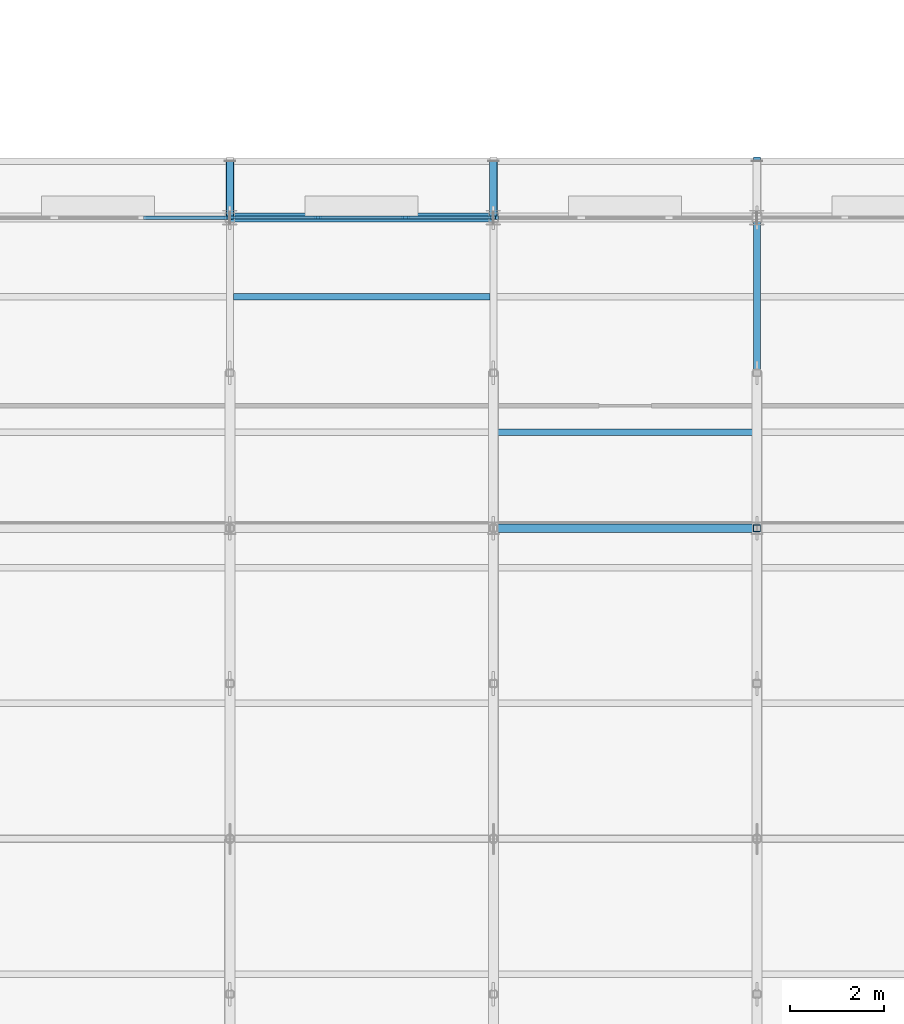
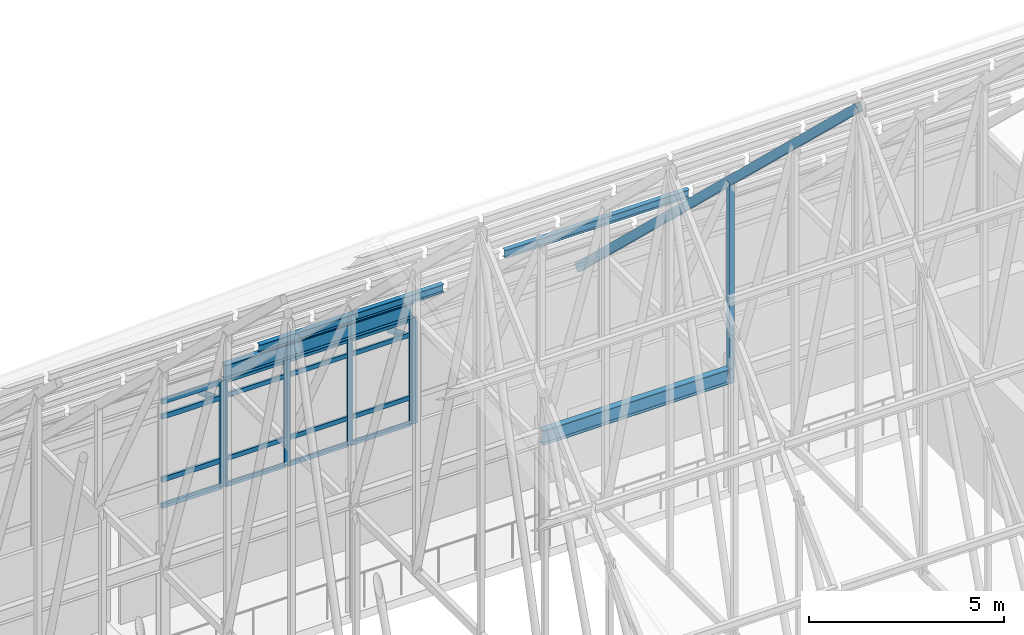
# One storey, part 51 of 144: 28 members, 2 beams, 3 elements without a shape of their own.
"""IFC4 building model written with IfcOpenShell, lengths in metres."""

from ifc_helpers import new_model, si_unit, direction, frame, origin, origin_2d, place, context, subcontext, project, spatial, rectangle, hollow_rectangle, hollow_circle, i_section, extrude, material, layer, layer_set, material_profile, profile_set, type_object, element, aggregate, save


model = new_model("IFC4")

# Units and contexts
model_context = context("Model", 3, precision=1e-05, world=origin(), true_north=direction((0.0, 1.0)))
body_context = subcontext(model_context, "Body", "Model", "MODEL_VIEW")
ifc_project = project(units=[si_unit("LENGTHUNIT", "METRE"), si_unit("AREAUNIT", "SQUARE_METRE"), si_unit("VOLUMEUNIT", "CUBIC_METRE"), si_unit("PLANEANGLEUNIT", "RADIAN"), si_unit("MASSUNIT", "GRAM", prefix="KILO")], contexts=[model_context])

# Site, building, storey
site_placement = place(None, origin())
site = spatial("IfcSite", under=ifc_project, at=site_placement, CompositionType="ELEMENT")
building_placement = place(site_placement, origin())
building = spatial("IfcBuilding", under=site, at=building_placement, Name="Trelmorton Wharf Fire Station", CompositionType="ELEMENT")
storey_placement = place(building_placement, frame((0.0, 0.0, 5.39990234375)))
storey = spatial("IfcBuildingStorey", under=building, at=storey_placement, Name="L01", CompositionType="ELEMENT", Elevation=5.39990234375)

# Curtain wall, members
ifc_material_1 = material(Name="Anodised aluminium AW-6063", Category="aluminium")
ifc_layer = layer(ifc_material_1, 0.175048828125)
ifc_layer_set = layer_set([ifc_layer], Name="Anodised aluminium AW-6063")
curtain_wall_type = type_object("IfcCurtainWallType", Name="CW_CHIC_B", PredefinedType="USERDEFINED", material=ifc_layer_set)
curtain_wall_1_placement = place(storey_placement, origin())
curtain_wall_1 = element("IfcCurtainWall", 1, at=curtain_wall_1_placement, inside=storey, type_object=curtain_wall_type, Name="CW-V1-L01-015", ObjectType="CHICAGO BAY CURTAIN WALL", PredefinedType="USERDEFINED")
ifc_material_profile_1 = material_profile(ifc_material_1, rectangle(XDim=0.06494140625, YDim=0.159912109375, at=origin_2d()), Name="ALU-65x160")
ifc_profile_set_1 = profile_set([ifc_material_profile_1], Name="Anodised aluminium AW-6063")
member_type_1 = type_object("IfcMemberType", Name="CWM_65x160", PredefinedType="MULLION", material=ifc_profile_set_1)
member_1_placement = place(storey_placement, frame((34.43505859375, 34.199951171875, 0.0), z_axis=(0.0, 0.0, 1.0), x_axis=(0.0, 1.0, 0.0)))
member_1 = element("IfcMember", 2, at=member_1_placement, type_object=member_type_1, Name="CW2 mullion 1", PredefinedType="MULLION", context=body_context, shape_type="SweptSolid", body=[
    extrude(rectangle(XDim=0.06494140625, YDim=0.159912109375, at=origin_2d()), origin(), (0.0, 0.0, 1.0), 3.320068359375),
])
member_2_placement = place(storey_placement, frame((36.268310546875, 34.199951171875, 0.0), z_axis=(0.0, 0.0, 1.0), x_axis=(0.0, 1.0, 0.0)))
member_2 = element("IfcMember", 3, at=member_2_placement, type_object=member_type_1, Name="CW2 mullion 2", PredefinedType="MULLION", context=body_context, shape_type="SweptSolid", body=[
    extrude(rectangle(XDim=0.06494140625, YDim=0.159912109375, at=origin_2d()), origin(), (0.0, 0.0, 1.0), 3.320068359375),
])
member_3_placement = place(storey_placement, frame((38.131591796875, 34.199951171875, 0.0), z_axis=(0.0, 0.0, 1.0), x_axis=(0.0, 1.0, 0.0)))
member_3 = element("IfcMember", 4, at=member_3_placement, type_object=member_type_1, Name="CW2 mullion 3", PredefinedType="MULLION", context=body_context, shape_type="SweptSolid", body=[
    extrude(rectangle(XDim=0.06494140625, YDim=0.159912109375, at=origin_2d()), origin(), (0.0, 0.0, 1.0), 3.320068359375),
])
member_4_placement = place(storey_placement, frame((39.965087890625, 34.199951171875, 0.0), z_axis=(0.0, 0.0, 1.0), x_axis=(0.0, 1.0, 0.0)))
member_4 = element("IfcMember", 5, at=member_4_placement, type_object=member_type_1, Name="CW2 mullion 4", PredefinedType="MULLION", context=body_context, shape_type="SweptSolid", body=[
    extrude(rectangle(XDim=0.06494140625, YDim=0.159912109375, at=origin_2d()), origin(), (0.0, 0.0, 1.0), 3.320068359375),
])

# Curtain wall, member
curtain_wall_2_placement = place(storey_placement, origin())
curtain_wall_2 = element("IfcCurtainWall", 6, at=curtain_wall_2_placement, inside=storey, type_object=curtain_wall_type, Name="CW-V1-L01-014", ObjectType="CHICAGO BAY CURTAIN WALL", PredefinedType="USERDEFINED")
ifc_material_profile_2 = material_profile(ifc_material_1, rectangle(XDim=0.074951171875, YDim=0.175048828125, at=origin_2d()), Name="ALU-75x175")
ifc_profile_set_2 = profile_set([ifc_material_profile_2], Name="Anodised aluminium AW-6063")
member_type_2 = type_object("IfcMemberType", Name="CWM_75x175", PredefinedType="MULLION", material=ifc_profile_set_2)
member_5_placement = place(storey_placement, frame((34.364990234375, 34.199951171875, 0.0), z_axis=(0.0, 0.0, 1.0), x_axis=(0.0, 1.0, 0.0)))
member_5 = element("IfcMember", 7, at=member_5_placement, type_object=member_type_2, Name="CW2 mullion 4", PredefinedType="MULLION", context=body_context, shape_type="SweptSolid", body=[
    extrude(rectangle(XDim=0.074951171875, YDim=0.175048828125, at=origin_2d()), origin(), (0.0, 0.0, 1.0), 3.320068359375),
])

curtain_wall_3_placement = place(storey_placement, origin())
curtain_wall_3 = element("IfcCurtainWall", 8, at=curtain_wall_3_placement, inside=storey, type_object=curtain_wall_type, Name="CW-V1-L01-016", ObjectType="CHICAGO BAY CURTAIN WALL", PredefinedType="USERDEFINED")
member_6_placement = place(storey_placement, frame((40.034912109375, 34.199951171875, 0.0), z_axis=(0.0, 0.0, 1.0), x_axis=(0.0, 1.0, 0.0)))
member_6 = element("IfcMember", 9, at=member_6_placement, type_object=member_type_2, Name="CW2 mullion 1", PredefinedType="MULLION", context=body_context, shape_type="SweptSolid", body=[
    extrude(rectangle(XDim=0.074951171875, YDim=0.175048828125, at=origin_2d()), origin(), (0.0, 0.0, 1.0), 3.320068359375),
])
aggregate(curtain_wall_3, [member_6])

# Member
ifc_material_profile_3 = material_profile(ifc_material_1, rectangle(XDim=0.06494140625, YDim=0.139892578125, at=origin_2d()), Name="ALU-65x140")
ifc_profile_set_3 = profile_set([ifc_material_profile_3], Name="Anodised aluminium AW-6063")
member_type_3 = type_object("IfcMemberType", Name="CWT_65x140", PredefinedType="USERDEFINED", material=ifc_profile_set_3)
member_7_placement = place(storey_placement, frame((34.465087890625, 34.199951171875, 0.030029296875), z_axis=(1.0, 0.0, 0.0), x_axis=(0.0, 1.0, 0.0)))
member_7 = element("IfcMember", 10, at=member_7_placement, type_object=member_type_3, Name="CW2 transom 1.1", ObjectType="TRANSOM", PredefinedType="USERDEFINED", context=body_context, shape_type="SweptSolid", body=[
    extrude(rectangle(XDim=0.06494140625, YDim=0.139892578125, at=origin_2d()), origin(), (0.0, 0.0, 1.0), 1.773193359375),
])

member_8_placement = place(storey_placement, frame((34.465087890625, 34.199951171875, 0.85009765625), z_axis=(1.0, 0.0, 0.0), x_axis=(0.0, 1.0, 0.0)))
member_8 = element("IfcMember", 11, at=member_8_placement, type_object=member_type_3, Name="CW2 transom 1.2", ObjectType="TRANSOM", PredefinedType="USERDEFINED", context=body_context, shape_type="SweptSolid", body=[
    extrude(rectangle(XDim=0.06494140625, YDim=0.139892578125, at=origin_2d()), origin(), (0.0, 0.0, 1.0), 1.773193359375),
])

member_9_placement = place(storey_placement, frame((34.465087890625, 34.199951171875, 2.820068359375), z_axis=(1.0, 0.0, 0.0), x_axis=(0.0, 1.0, 0.0)))
member_9 = element("IfcMember", 12, at=member_9_placement, type_object=member_type_3, Name="CW2 transom 1.3", ObjectType="TRANSOM", PredefinedType="USERDEFINED", context=body_context, shape_type="SweptSolid", body=[
    extrude(rectangle(XDim=0.06494140625, YDim=0.139892578125, at=origin_2d()), origin(), (0.0, 0.0, 1.0), 1.773193359375),
])

member_10_placement = place(storey_placement, frame((34.465087890625, 34.199951171875, 3.2900390625), z_axis=(1.0, 0.0, 0.0), x_axis=(0.0, 1.0, 0.0)))
member_10 = element("IfcMember", 13, at=member_10_placement, type_object=member_type_3, Name="CW2 transom 1.4", ObjectType="TRANSOM", PredefinedType="USERDEFINED", context=body_context, shape_type="SweptSolid", body=[
    extrude(rectangle(XDim=0.06494140625, YDim=0.139892578125, at=origin_2d()), origin(), (0.0, 0.0, 1.0), 1.773193359375),
])

member_11_placement = place(storey_placement, frame((36.29833984375, 34.199951171875, 0.030029296875), z_axis=(1.0, 0.0, 0.0), x_axis=(0.0, 1.0, 0.0)))
member_11 = element("IfcMember", 14, at=member_11_placement, type_object=member_type_3, Name="CW2 transom 2.1", ObjectType="TRANSOM", PredefinedType="USERDEFINED", context=body_context, shape_type="SweptSolid", body=[
    extrude(rectangle(XDim=0.06494140625, YDim=0.139892578125, at=origin_2d()), origin(), (0.0, 0.0, 1.0), 1.80322265625),
])

member_12_placement = place(storey_placement, frame((36.29833984375, 34.199951171875, 0.85009765625), z_axis=(1.0, 0.0, 0.0), x_axis=(0.0, 1.0, 0.0)))
member_12 = element("IfcMember", 15, at=member_12_placement, type_object=member_type_3, Name="CW2 transom 2.2", ObjectType="TRANSOM", PredefinedType="USERDEFINED", context=body_context, shape_type="SweptSolid", body=[
    extrude(rectangle(XDim=0.06494140625, YDim=0.139892578125, at=origin_2d()), origin(), (0.0, 0.0, 1.0), 1.80322265625),
])

member_13_placement = place(storey_placement, frame((36.29833984375, 34.199951171875, 2.820068359375), z_axis=(1.0, 0.0, 0.0), x_axis=(0.0, 1.0, 0.0)))
member_13 = element("IfcMember", 16, at=member_13_placement, type_object=member_type_3, Name="CW2 transom 2.3", ObjectType="TRANSOM", PredefinedType="USERDEFINED", context=body_context, shape_type="SweptSolid", body=[
    extrude(rectangle(XDim=0.06494140625, YDim=0.139892578125, at=origin_2d()), origin(), (0.0, 0.0, 1.0), 1.80322265625),
])

member_14_placement = place(storey_placement, frame((36.29833984375, 34.199951171875, 3.2900390625), z_axis=(1.0, 0.0, 0.0), x_axis=(0.0, 1.0, 0.0)))
member_14 = element("IfcMember", 17, at=member_14_placement, type_object=member_type_3, Name="CW2 transom 2.4", ObjectType="TRANSOM", PredefinedType="USERDEFINED", context=body_context, shape_type="SweptSolid", body=[
    extrude(rectangle(XDim=0.06494140625, YDim=0.139892578125, at=origin_2d()), origin(), (0.0, 0.0, 1.0), 1.80322265625),
])

member_15_placement = place(storey_placement, frame((38.16162109375, 34.199951171875, 0.030029296875), z_axis=(1.0, 0.0, 0.0), x_axis=(0.0, 1.0, 0.0)))
member_15 = element("IfcMember", 18, at=member_15_placement, type_object=member_type_3, Name="CW2 transom 3.1", ObjectType="TRANSOM", PredefinedType="USERDEFINED", context=body_context, shape_type="SweptSolid", body=[
    extrude(rectangle(XDim=0.06494140625, YDim=0.139892578125, at=origin_2d()), origin(), (0.0, 0.0, 1.0), 1.7734375),
])

member_16_placement = place(storey_placement, frame((38.16162109375, 34.199951171875, 0.85009765625), z_axis=(1.0, 0.0, 0.0), x_axis=(0.0, 1.0, 0.0)))
member_16 = element("IfcMember", 19, at=member_16_placement, type_object=member_type_3, Name="CW2 transom 3.2", ObjectType="TRANSOM", PredefinedType="USERDEFINED", context=body_context, shape_type="SweptSolid", body=[
    extrude(rectangle(XDim=0.06494140625, YDim=0.139892578125, at=origin_2d()), origin(), (0.0, 0.0, 1.0), 1.7734375),
])

member_17_placement = place(storey_placement, frame((38.16162109375, 34.199951171875, 2.820068359375), z_axis=(1.0, 0.0, 0.0), x_axis=(0.0, 1.0, 0.0)))
member_17 = element("IfcMember", 20, at=member_17_placement, type_object=member_type_3, Name="CW2 transom 3.3", ObjectType="TRANSOM", PredefinedType="USERDEFINED", context=body_context, shape_type="SweptSolid", body=[
    extrude(rectangle(XDim=0.06494140625, YDim=0.139892578125, at=origin_2d()), origin(), (0.0, 0.0, 1.0), 1.7734375),
])

member_18_placement = place(storey_placement, frame((38.16162109375, 34.199951171875, 3.2900390625), z_axis=(1.0, 0.0, 0.0), x_axis=(0.0, 1.0, 0.0)))
member_18 = element("IfcMember", 21, at=member_18_placement, type_object=member_type_3, Name="CW2 transom 3.4", ObjectType="TRANSOM", PredefinedType="USERDEFINED", context=body_context, shape_type="SweptSolid", body=[
    extrude(rectangle(XDim=0.06494140625, YDim=0.139892578125, at=origin_2d()), origin(), (0.0, 0.0, 1.0), 1.7734375),
])

aggregate(curtain_wall_1, [member_1, member_2, member_3, member_4, member_7, member_8, member_9, member_10, member_11, member_12, member_13, member_14, member_15, member_16, member_17, member_18])

ifc_material_profile_4 = material_profile(ifc_material_1, rectangle(XDim=0.074951171875, YDim=0.155029296875, at=origin_2d()), Name="ALU-75x155")
ifc_profile_set_4 = profile_set([ifc_material_profile_4], Name="Anodised aluminium AW-6063")
member_type_4 = type_object("IfcMemberType", Name="CWT_75x155", PredefinedType="USERDEFINED", material=ifc_profile_set_4)
member_19_placement = place(storey_placement, frame((32.561767578125, 34.199951171875, 0.030029296875), z_axis=(1.0, 0.0, 0.0), x_axis=(0.0, 1.0, 0.0)))
member_19 = element("IfcMember", 22, at=member_19_placement, type_object=member_type_4, Name="CW2 transom 3.1", ObjectType="TRANSOM", PredefinedType="USERDEFINED", context=body_context, shape_type="SweptSolid", body=[
    extrude(rectangle(XDim=0.074951171875, YDim=0.155029296875, at=origin_2d()), origin(), (0.0, 0.0, 1.0), 1.773193359375),
])

member_20_placement = place(storey_placement, frame((32.561767578125, 34.199951171875, 0.85009765625), z_axis=(1.0, 0.0, 0.0), x_axis=(0.0, 1.0, 0.0)))
member_20 = element("IfcMember", 23, at=member_20_placement, type_object=member_type_4, Name="CW2 transom 3.2", ObjectType="TRANSOM", PredefinedType="USERDEFINED", context=body_context, shape_type="SweptSolid", body=[
    extrude(rectangle(XDim=0.074951171875, YDim=0.155029296875, at=origin_2d()), origin(), (0.0, 0.0, 1.0), 1.773193359375),
])

member_21_placement = place(storey_placement, frame((32.561767578125, 34.199951171875, 2.820068359375), z_axis=(1.0, 0.0, 0.0), x_axis=(0.0, 1.0, 0.0)))
member_21 = element("IfcMember", 24, at=member_21_placement, type_object=member_type_4, Name="CW2 transom 3.3", ObjectType="TRANSOM", PredefinedType="USERDEFINED", context=body_context, shape_type="SweptSolid", body=[
    extrude(rectangle(XDim=0.074951171875, YDim=0.155029296875, at=origin_2d()), origin(), (0.0, 0.0, 1.0), 1.773193359375),
])

member_22_placement = place(storey_placement, frame((32.561767578125, 34.199951171875, 3.2900390625), z_axis=(1.0, 0.0, 0.0), x_axis=(0.0, 1.0, 0.0)))
member_22 = element("IfcMember", 25, at=member_22_placement, type_object=member_type_4, Name="CW2 transom 3.4", ObjectType="TRANSOM", PredefinedType="USERDEFINED", context=body_context, shape_type="SweptSolid", body=[
    extrude(rectangle(XDim=0.074951171875, YDim=0.155029296875, at=origin_2d()), origin(), (0.0, 0.0, 1.0), 1.773193359375),
])

aggregate(curtain_wall_2, [member_5, member_19, member_20, member_21, member_22])

# Members
ifc_material_2 = material(Name="Steel Grade 300 (300 MPa)", Category="steel")
ifc_material_profile_5 = material_profile(ifc_material_2, i_section(OverallWidth=0.14599609375, OverallDepth=0.256103515625, WebThickness=0.00634765625, FlangeThickness=0.010986328125, FilletRadius=0.0087890625, at=origin_2d()), Name="250UB37.3")
ifc_profile_set_5 = profile_set([ifc_material_profile_5], Name="Steel Grade 300 (300 MPa)")
member_type_5 = type_object("IfcMemberType", Name="PR_250UB37", PredefinedType="PURLIN", material=ifc_profile_set_5)
for number, where, z_axis, x_axis, name in (
    (26, (34.471923828125, 32.52001953125, 5.315185546875), (1.0, 0.0, 0.0), (0.0, 1.0, 0.0), "V1-PR-B07-N4"),
    (27, (40.072021484375, 29.639892578125, 8.064453125), (1.0, 0.0, 0.0), (0.0, 1.0, 0.0), "V1-PR-B08-N3"),
):
    element("IfcMember", number, at=place(storey_placement, frame(where, z_axis=z_axis, x_axis=x_axis)), inside=storey, type_object=member_type_5, Name=name, PredefinedType="PURLIN", context=body_context, shape_type="SweptSolid", body=[
        extrude(i_section(OverallWidth=0.14599609375, OverallDepth=0.256103515625, WebThickness=0.00634765625, FlangeThickness=0.010986328125, FilletRadius=0.0087890625, at=origin_2d()), origin(), (0.0, 0.0, 1.0), 5.4560546875),
    ])

# Beams
ifc_material_3 = material(Name="Steel Grade 350", Category="steel")
ifc_material_profile_6 = material_profile(ifc_material_3, i_section(OverallWidth=0.18994140625, OverallDepth=0.45703125, WebThickness=0.009033203125, FlangeThickness=0.014404296875, FilletRadius=0.011474609375, at=origin_2d()), Name="460UB74.6")
ifc_profile_set_6 = profile_set([ifc_material_profile_6], Name="Steel Grade 350")
beam_type = type_object("IfcBeamType", Name="SP_460UB75", PredefinedType="SPANDREL", material=ifc_profile_set_6)
for number, where, z_axis, x_axis, name in (
    (28, (40.00390625, 27.60009765625, 3.591552734375), (1.0, 0.0, 0.0), (0.0, 1.0, 0.0), "BM-L01-0459"),
    (29, (34.404052734375, 34.199951171875, 3.591552734375), (1.0, 0.0, 0.0), (0.0, 1.0, 0.0), "BM-L01-0477"),
):
    element("IfcBeam", number, at=place(storey_placement, frame(where, z_axis=z_axis, x_axis=x_axis)), inside=storey, type_object=beam_type, Name=name, PredefinedType="SPANDREL", context=body_context, shape_type="SweptSolid", body=[
        extrude(i_section(OverallWidth=0.18994140625, OverallDepth=0.45703125, WebThickness=0.009033203125, FlangeThickness=0.014404296875, FilletRadius=0.011474609375, at=origin_2d()), origin(), (0.0, 0.0, 1.0), 5.592041015625),
    ])

# Members
ifc_material_4 = material(Name="Steel C350L0 (350 MPa)", Category="steel")
ifc_material_profile_7 = material_profile(ifc_material_4, hollow_circle(Radius=0.084228515625, WallThickness=0.007080078125, at=origin_2d()), Name="168.3x7.1CHS")
ifc_profile_set_7 = profile_set([ifc_material_profile_7], Name="Steel C350L0 (350 MPa)")
member_type_6 = type_object("IfcMemberType", Name="TR_DIAG_168CHS", PredefinedType="STRUT", material=ifc_profile_set_7)
for number, where, z_axis, x_axis, name in (
    (30, (34.39990234375, 34.199951171875, 2.7001953125), (0.0, 0.924732639899, -0.380617320553), (-1.0, 0.0, 0.0), "V1-TR07-EAV-N"),
    (31, (40.0, 34.199951171875, 2.7001953125), (0.0, 0.924732639899, -0.380617320553), (-1.0, 0.0, 0.0), "V1-TR08-EAV-N"),
):
    element("IfcMember", number, at=place(storey_placement, frame(where, z_axis=z_axis, x_axis=x_axis)), inside=storey, type_object=member_type_6, Name=name, PredefinedType="STRUT", context=body_context, shape_type="SweptSolid", body=[
        extrude(hollow_circle(Radius=0.084228515625, WallThickness=0.007080078125, at=origin_2d()), origin(), (0.0, 0.0, 1.0), 1.297607421875),
    ])
ifc_material_profile_8 = material_profile(ifc_material_4, hollow_rectangle(XDim=0.14990234375, YDim=0.14990234375, WallThickness=0.009033203125, at=origin_2d()), Name="150x150x9.0SHS")
ifc_profile_set_8 = profile_set([ifc_material_profile_8], Name="Steel C350L0 (350 MPa)")
member_type_7 = type_object("IfcMemberType", Name="TR_POST_150SHS", PredefinedType="POST", material=ifc_profile_set_8)
member_23_placement = place(storey_placement, frame((45.60009765625, 27.60009765625, 3.351806640625), z_axis=(0.0, 0.0, 1.0), x_axis=(1.0, 0.0, 0.0)))
element("IfcMember", 32, at=member_23_placement, inside=storey, type_object=member_type_7, Name="V1-TR09-VP-N2", PredefinedType="POST", context=body_context, shape_type="SweptSolid", body=[
    extrude(hollow_rectangle(XDim=0.14990234375, YDim=0.14990234375, WallThickness=0.009033203125, at=origin_2d()), origin(), (0.0, 0.0, 1.0), 6.300048828125),
])
ifc_material_profile_9 = material_profile(ifc_material_4, hollow_rectangle(XDim=0.14990234375, YDim=0.25, WallThickness=0.009033203125, at=origin_2d()), Name="250x150x9.0RHS")
ifc_profile_set_9 = profile_set([ifc_material_profile_9], Name="Steel C350L0 (350 MPa)")
member_type_8 = type_object("IfcMemberType", Name="TR_RAFT_250RHS", PredefinedType="RAFTER", material=ifc_profile_set_9)
member_24_placement = place(storey_placement, frame((45.60009765625, 21.0, 15.951904296875), z_axis=(0.0, 0.723349418794, -0.690482163659), x_axis=(-1.0, 0.0, 0.0)))
element("IfcMember", 33, at=member_24_placement, inside=storey, type_object=member_type_8, Name="V1-TR09-RFN", PredefinedType="RAFTER", context=body_context, shape_type="SweptSolid", body=[
    extrude(hollow_rectangle(XDim=0.14990234375, YDim=0.25, WallThickness=0.009033203125, at=origin_2d()), origin(), (0.0, 0.0, 1.0), 19.9072265625),
])

save(model, "model.ifc")
